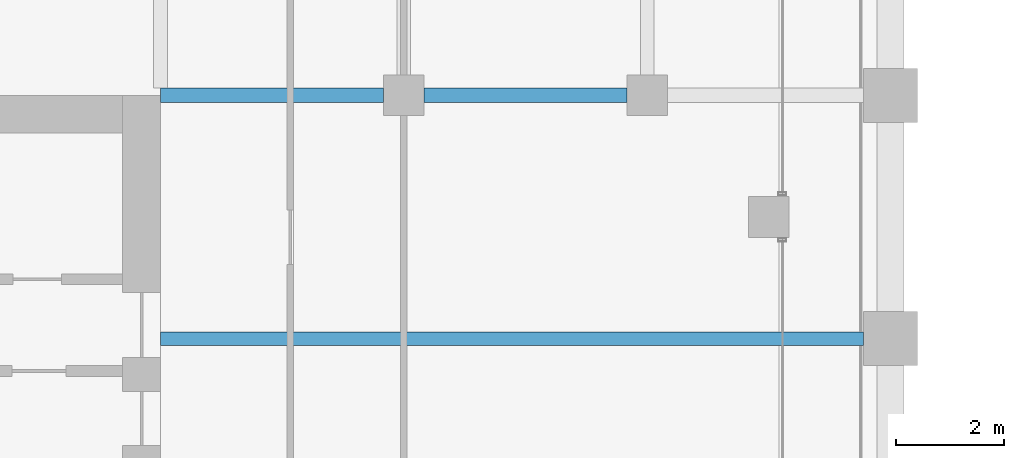
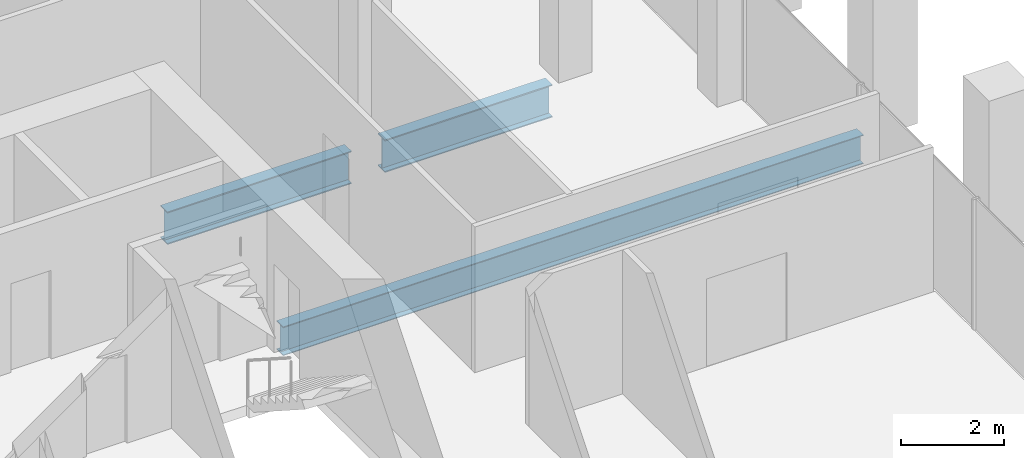
# One storey, part 18 of 46: 3 beams.
"""IFC4 building model written with IfcOpenShell, lengths in metres."""

from ifc_helpers import new_model, si_unit, direction, frame, origin, origin_2d, place, context, subcontext, project, spatial, i_section, extrude, material, material_profile, profile_set, type_object, element, save


model = new_model("IFC4")

# Units and contexts
model_context = context("Model", 3, precision=1e-05, world=origin(), true_north=direction((0.0, 1.0)))
body_context = subcontext(model_context, "Body", "Model", "MODEL_VIEW")
ifc_project = project(units=[si_unit("LENGTHUNIT", "METRE"), si_unit("AREAUNIT", "SQUARE_METRE"), si_unit("VOLUMEUNIT", "CUBIC_METRE"), si_unit("PLANEANGLEUNIT", "RADIAN"), si_unit("MASSUNIT", "GRAM", prefix="KILO")], contexts=[model_context])

# Site, building, storey
site_placement = place(None, origin())
site = spatial("IfcSite", under=ifc_project, at=site_placement, CompositionType="ELEMENT")
building_placement = place(site_placement, origin())
building = spatial("IfcBuilding", under=site, at=building_placement, Name="Altepetl Exchange Towers", CompositionType="ELEMENT")
storey_placement = place(building_placement, frame((0.0, 0.0, 102.800048828125)))
storey = spatial("IfcBuildingStorey", under=building, at=storey_placement, Name="L25", CompositionType="ELEMENT", Elevation=102.800048828125)

# Beams
ifc_material = material(Name="Steel S355", Category="steel")
ifc_material_profile_1 = material_profile(ifc_material, i_section(OverallWidth=0.25390625, OverallDepth=0.68408203125, WebThickness=0.012451171875, FlangeThickness=0.018798828125, at=origin_2d()), Name="W27X94")
ifc_profile_set_1 = profile_set([ifc_material_profile_1], Name="Steel S355")
beam_type_1 = type_object("IfcBeamType", Name="Floor beam W27X94", PredefinedType="BEAM", material=ifc_profile_set_1)
beam_1_placement = place(storey_placement, frame((58.5, 54.0, -0.491943359375), z_axis=(1.0, 0.0, 0.0), x_axis=(0.0, 1.0, 0.0)))
element("IfcBeam", 1, at=beam_1_placement, inside=storey, type_object=beam_type_1, Name="bm:A:L25:011", PredefinedType="BEAM", context=body_context, shape_type="SweptSolid", body=[
    extrude(i_section(OverallWidth=0.25390625, OverallDepth=0.68408203125, WebThickness=0.012451171875, FlangeThickness=0.018798828125, at=origin_2d()), origin(), (0.0, 0.0, 1.0), 13.0),
])
ifc_material_profile_2 = material_profile(ifc_material, i_section(OverallWidth=0.26806640625, OverallDepth=0.77392578125, WebThickness=0.015380859375, FlangeThickness=0.025390625, at=origin_2d()), Name="W30X132")
ifc_profile_set_2 = profile_set([ifc_material_profile_2], Name="Steel S355")
beam_type_2 = type_object("IfcBeamType", Name="Girder W30X132", PredefinedType="BEAM", material=ifc_profile_set_2)
beam_2_placement = place(storey_placement, frame((58.5, 58.5, -0.537109375), z_axis=(1.0, 0.0, 0.0), x_axis=(0.0, 1.0, 0.0)))
element("IfcBeam", 2, at=beam_2_placement, inside=storey, type_object=beam_type_2, Name="gd:A:L25:000", PredefinedType="BEAM", context=body_context, shape_type="SweptSolid", body=[
    extrude(i_section(OverallWidth=0.26806640625, OverallDepth=0.77392578125, WebThickness=0.015380859375, FlangeThickness=0.025390625, at=origin_2d()), origin(), (0.0, 0.0, 1.0), 4.125),
])
beam_3_placement = place(storey_placement, frame((63.375, 58.5, -0.537109375), z_axis=(1.0, 0.0, 0.0), x_axis=(0.0, 1.0, 0.0)))
element("IfcBeam", 3, at=beam_3_placement, inside=storey, type_object=beam_type_2, Name="gd:A:L25:001", PredefinedType="BEAM", context=body_context, shape_type="SweptSolid", body=[
    extrude(i_section(OverallWidth=0.26806640625, OverallDepth=0.77392578125, WebThickness=0.015380859375, FlangeThickness=0.025390625, at=origin_2d()), origin(), (0.0, 0.0, 1.0), 3.75),
])

save(model, "model.ifc")
